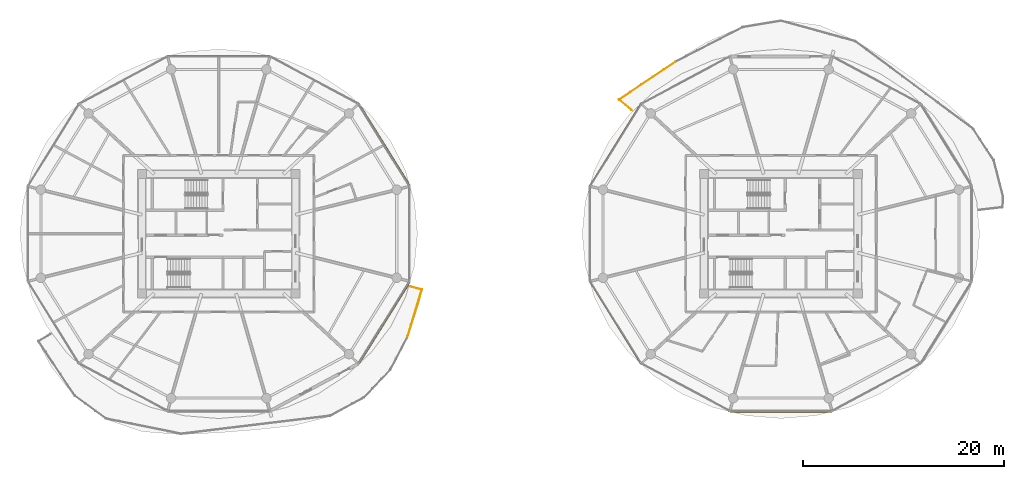
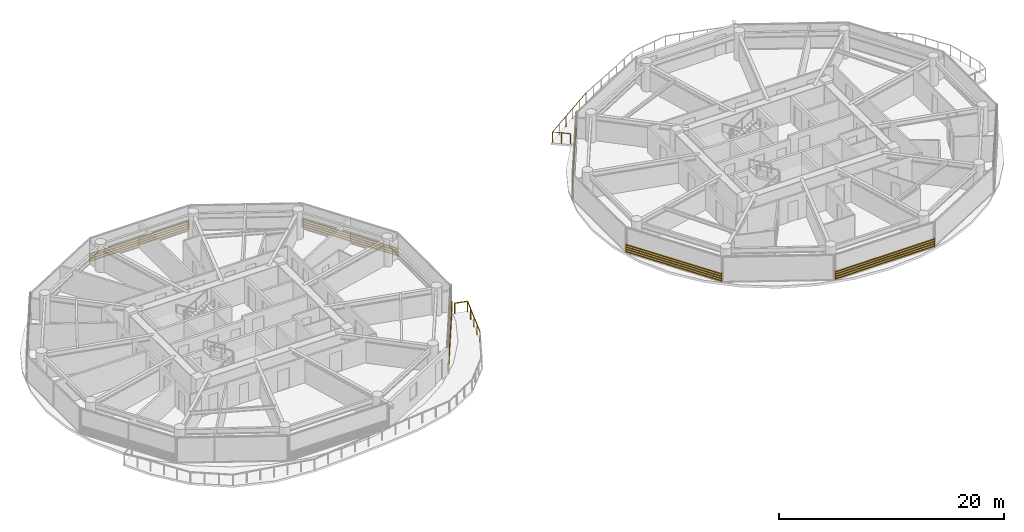
# One storey, part 24 of 26: 6 shading devices, 2 railings.
"""IFC4 building model written with IfcOpenShell, lengths in metres."""

from ifc_helpers import new_model, si_unit, direction, frame, origin, origin_2d, place, context, subcontext, project, spatial, rectangle, extrude, source, transform, mapped, material, type_object, type_shapes, element, save


model = new_model("IFC4")

# Units and contexts
model_context = context("Model", 3, precision=1e-05, world=origin(), true_north=direction((0.0, 1.0)))
body_context = subcontext(model_context, "Body", "Model", "MODEL_VIEW")
ifc_project = project(units=[si_unit("LENGTHUNIT", "METRE"), si_unit("AREAUNIT", "SQUARE_METRE"), si_unit("VOLUMEUNIT", "CUBIC_METRE"), si_unit("PLANEANGLEUNIT", "RADIAN"), si_unit("MASSUNIT", "GRAM", prefix="KILO")], contexts=[model_context])

# Site, building, storey
site_placement = place(None, origin())
site = spatial("IfcSite", under=ifc_project, at=site_placement, CompositionType="ELEMENT")
building_placement = place(site_placement, origin())
building = spatial("IfcBuilding", under=site, at=building_placement, Name="Norrkilde Senior Care Towers", CompositionType="ELEMENT")
storey_placement = place(building_placement, frame((0.0, 0.0, 55.14990234375)))
storey = spatial("IfcBuildingStorey", under=building, at=storey_placement, Name="L16", CompositionType="ELEMENT", Elevation=55.14990234375)

# Railings
ifc_material_1 = material(Name="Anodised Aluminium", Category="aluminium")
railing_type = type_object("IfcRailingType", Name="Balcony Swirl Ribbon Guardrail 1150", PredefinedType="GUARDRAIL", material=ifc_material_1)
railing_1_placement = place(storey_placement, frame((13.117919921875, 12.33837890625, 0.0)))
element("IfcRailing", 1, at=railing_1_placement, inside=storey, type_object=railing_type, Name="L16 Perimeter Safety Guard 02", PredefinedType="GUARDRAIL", context=body_context, shape_type="SweptSolid", body=[
    extrude(rectangle(XDim=0.048095703125, YDim=0.048095703125, at=origin_2d()), frame((0.0, 0.0, 1.1259765625), z_axis=(-0.772437041548, 0.635091345276, 0.0), x_axis=(-0.635091345276, -0.772437041548, 0.0)), (0.0, 0.0, 1.0), 1.5712890625),
    extrude(rectangle(XDim=0.048095703125, YDim=0.048095703125, at=origin_2d()), frame((-1.21142578125, 1.046630859375, 1.1259765625), z_axis=(0.830665967193, 0.55677109385, 0.0), x_axis=(-0.55677109385, 0.830665967193, 0.0)), (0.0, 0.0, 1.0), 6.700439453125),
    extrude(rectangle(XDim=0.0419921875, YDim=0.0419921875, at=origin_2d()), origin(), (0.0, 0.0, 1.0), 1.099853515625),
    extrude(rectangle(XDim=0.0419921875, YDim=0.0419921875, at=origin_2d()), frame((-0.62255859375, 0.511962890625, 0.0)), (0.0, 0.0, 1.0), 1.099853515625),
    extrude(rectangle(XDim=0.0419921875, YDim=0.0419921875, at=origin_2d()), frame((-1.245361328125, 1.02392578125, 0.0)), (0.0, 0.0, 1.0), 1.099853515625),
    extrude(rectangle(XDim=0.0419921875, YDim=0.0419921875, at=origin_2d()), frame((-0.12548828125, 1.774658203125, 0.0)), (0.0, 0.0, 1.0), 1.099853515625),
    extrude(rectangle(XDim=0.0419921875, YDim=0.0419921875, at=origin_2d()), frame((0.99462890625, 2.525390625, 0.0)), (0.0, 0.0, 1.0), 1.099853515625),
    extrude(rectangle(XDim=0.0419921875, YDim=0.0419921875, at=origin_2d()), frame((2.114501953125, 3.27587890625, 0.0)), (0.0, 0.0, 1.0), 1.099853515625),
    extrude(rectangle(XDim=0.0419921875, YDim=0.0419921875, at=origin_2d()), frame((3.234619140625, 4.026611328125, 0.0)), (0.0, 0.0, 1.0), 1.099853515625),
    extrude(rectangle(XDim=0.0419921875, YDim=0.0419921875, at=origin_2d()), frame((4.3544921875, 4.77734375, 0.0)), (0.0, 0.0, 1.0), 1.099853515625),
])
railing_2_placement = place(storey_placement, frame((-8.908935546875, -5.260009765625, 0.0)))
element("IfcRailing", 2, at=railing_2_placement, inside=storey, type_object=railing_type, Name="L16 Perimeter Safety Guard 04", PredefinedType="GUARDRAIL", context=body_context, shape_type="SweptSolid", body=[
    extrude(rectangle(XDim=0.048095703125, YDim=0.048095703125, at=origin_2d()), frame((0.0, 0.0, 1.1259765625), z_axis=(0.965126138553, -0.261785287367, 0.0), x_axis=(0.261785287367, 0.965126138553, 0.0)), (0.0, 0.0, 1.0), 1.137939453125),
    extrude(rectangle(XDim=0.048095703125, YDim=0.048095703125, at=origin_2d()), frame((1.125732421875, -0.34765625, 1.1259765625), z_axis=(-0.290287304515, -0.956939538757, 0.0), x_axis=(0.956939538757, -0.290287304515, 0.0)), (0.0, 0.0, 1.0), 4.848876953125),
    extrude(rectangle(XDim=0.0419921875, YDim=0.0419921875, at=origin_2d()), origin(), (0.0, 0.0, 1.0), 1.099853515625),
    extrude(rectangle(XDim=0.0419921875, YDim=0.0419921875, at=origin_2d()), frame((1.1376953125, -0.30859375, 0.0)), (0.0, 0.0, 1.0), 1.099853515625),
    extrude(rectangle(XDim=0.0419921875, YDim=0.0419921875, at=origin_2d()), frame((0.78271484375, -1.478515625, 0.0)), (0.0, 0.0, 1.0), 1.099853515625),
    extrude(rectangle(XDim=0.0419921875, YDim=0.0419921875, at=origin_2d()), frame((0.427978515625, -2.648193359375, 0.0)), (0.0, 0.0, 1.0), 1.099853515625),
    extrude(rectangle(XDim=0.0419921875, YDim=0.0419921875, at=origin_2d()), frame((0.0732421875, -3.81787109375, 0.0)), (0.0, 0.0, 1.0), 1.099853515625),
    extrude(rectangle(XDim=0.0419921875, YDim=0.0419921875, at=origin_2d()), frame((-0.28173828125, -4.98779296875, 0.0)), (0.0, 0.0, 1.0), 1.099853515625),
])

# Shading devices
ifc_material_2 = material(Name="Architectural Terracotta", Category="masonry")
shading_device_type = type_object("IfcShadingDeviceType", Name="Horizontal Terracotta Baguette Rack", PredefinedType="USERDEFINED", material=ifc_material_2)
shared_shape_1 = source(origin(), body_context, "Body", "SweptSolid", [
    extrude(rectangle(XDim=0.070068359375, YDim=0.110107421875, at=origin_2d()), frame((0.0, 0.090087890625, 0.125), z_axis=(1.0, 0.0, 0.0), x_axis=(0.0, 1.0, 0.0)), (0.0, 0.0, 1.0), 9.64892578125),
    extrude(rectangle(XDim=0.070068359375, YDim=0.110107421875, at=origin_2d()), frame((0.0, 0.090087890625, 0.375), z_axis=(1.0, 0.0, 0.0), x_axis=(0.0, 1.0, 0.0)), (0.0, 0.0, 1.0), 9.64892578125),
    extrude(rectangle(XDim=0.070068359375, YDim=0.110107421875, at=origin_2d()), frame((0.0, 0.090087890625, 0.625), z_axis=(1.0, 0.0, 0.0), x_axis=(0.0, 1.0, 0.0)), (0.0, 0.0, 1.0), 9.64892578125),
    extrude(rectangle(XDim=0.070068359375, YDim=0.110107421875, at=origin_2d()), frame((0.0, 0.090087890625, 0.875), z_axis=(1.0, 0.0, 0.0), x_axis=(0.0, 1.0, 0.0)), (0.0, 0.0, 1.0), 9.64892578125),
    extrude(rectangle(XDim=0.050048828125, YDim=0.1552734375, at=origin_2d()), frame((0.02490234375, 0.047607421875, 0.0)), (0.0, 0.0, 1.0), 1.0),
    extrude(rectangle(XDim=0.050048828125, YDim=0.1552734375, at=origin_2d()), frame((9.6240234375, 0.047607421875, 0.0)), (0.0, 0.0, 1.0), 1.0),
])
for number, where, z_axis, x_axis, name in (
    (3, (-14.084228515625, 12.926025390625, 0.080078125), (0.0, 0.0, 1.0), (0.527908506655, -0.849299124538, 0.0), "L16 Drum W Terracotta Baguette Screen 00"),
    (4, (-8.990478515625, -4.731201171875, 0.080078125), (0.0, 0.0, 1.0), (-0.527908506655, -0.849299124538, 0.0), "L16 Drum W Terracotta Baguette Screen 10"),
    (5, (8.990478515625, 4.731201171875, 0.080078125), (0.0, 0.0, 1.0), (0.527908506655, 0.849299124538, 0.0), "L16 Drum E Terracotta Baguette Screen 04"),
    (6, (14.084228515625, -12.926025390625, 0.080078125), (0.0, 0.0, 1.0), (-0.527908506655, 0.849299124538, 0.0), "L16 Drum E Terracotta Baguette Screen 06"),
):
    element("IfcShadingDevice", number, at=place(storey_placement, frame(where, z_axis=z_axis, x_axis=x_axis)), inside=storey, type_object=shading_device_type, Name=name, ObjectType="BAGUETTE", PredefinedType="USERDEFINED", context=body_context, shape_type="MappedRepresentation", body=[
        mapped(shared_shape_1, transform((0.0, 0.0, 0.0), x_axis=(1.0, 0.0, 0.0), y_axis=(0.0, 1.0, 0.0), z_axis=(0.0, 0.0, 1.0), scale=1.0)),
    ])
shared_shape_2 = source(origin(), body_context, "Body", "SweptSolid", [
    extrude(rectangle(XDim=0.070068359375, YDim=0.110107421875, at=origin_2d()), frame((0.0, 0.090087890625, 0.125), z_axis=(1.0, 0.0, 0.0), x_axis=(0.0, 1.0, 0.0)), (0.0, 0.0, 1.0), 10.18701171875),
    extrude(rectangle(XDim=0.070068359375, YDim=0.110107421875, at=origin_2d()), frame((0.0, 0.090087890625, 0.375), z_axis=(1.0, 0.0, 0.0), x_axis=(0.0, 1.0, 0.0)), (0.0, 0.0, 1.0), 10.18701171875),
    extrude(rectangle(XDim=0.070068359375, YDim=0.110107421875, at=origin_2d()), frame((0.0, 0.090087890625, 0.625), z_axis=(1.0, 0.0, 0.0), x_axis=(0.0, 1.0, 0.0)), (0.0, 0.0, 1.0), 10.18701171875),
    extrude(rectangle(XDim=0.070068359375, YDim=0.110107421875, at=origin_2d()), frame((0.0, 0.090087890625, 0.875), z_axis=(1.0, 0.0, 0.0), x_axis=(0.0, 1.0, 0.0)), (0.0, 0.0, 1.0), 10.18701171875),
    extrude(rectangle(XDim=0.050048828125, YDim=0.1552734375, at=origin_2d()), frame((0.02490234375, 0.047607421875, 0.0)), (0.0, 0.0, 1.0), 1.0),
    extrude(rectangle(XDim=0.050048828125, YDim=0.1552734375, at=origin_2d()), frame((10.162109375, 0.047607421875, 0.0)), (0.0, 0.0, 1.0), 1.0),
])
type_shapes(shading_device_type, [shared_shape_1, shared_shape_2])
for number, where, z_axis, x_axis, name in (
    (7, (-33.093505859375, 17.6572265625, 0.080078125), (0.0, 0.0, 1.0), (1.0, 0.0, 0.0), "L16 Drum W Terracotta Baguette Screen 02"),
    (8, (33.093505859375, -17.6572265625, 0.080078125), (0.0, 0.0, 1.0), (-1.0, 0.0, 0.0), "L16 Drum E Terracotta Baguette Screen 08"),
):
    element("IfcShadingDevice", number, at=place(storey_placement, frame(where, z_axis=z_axis, x_axis=x_axis)), inside=storey, type_object=shading_device_type, Name=name, ObjectType="BAGUETTE", PredefinedType="USERDEFINED", context=body_context, shape_type="MappedRepresentation", body=[
        mapped(shared_shape_2, transform((0.0, 0.0, 0.0), x_axis=(1.0, 0.0, 0.0), y_axis=(0.0, 1.0, 0.0), z_axis=(0.0, 0.0, 1.0), scale=1.0)),
    ])

save(model, "model.ifc")
